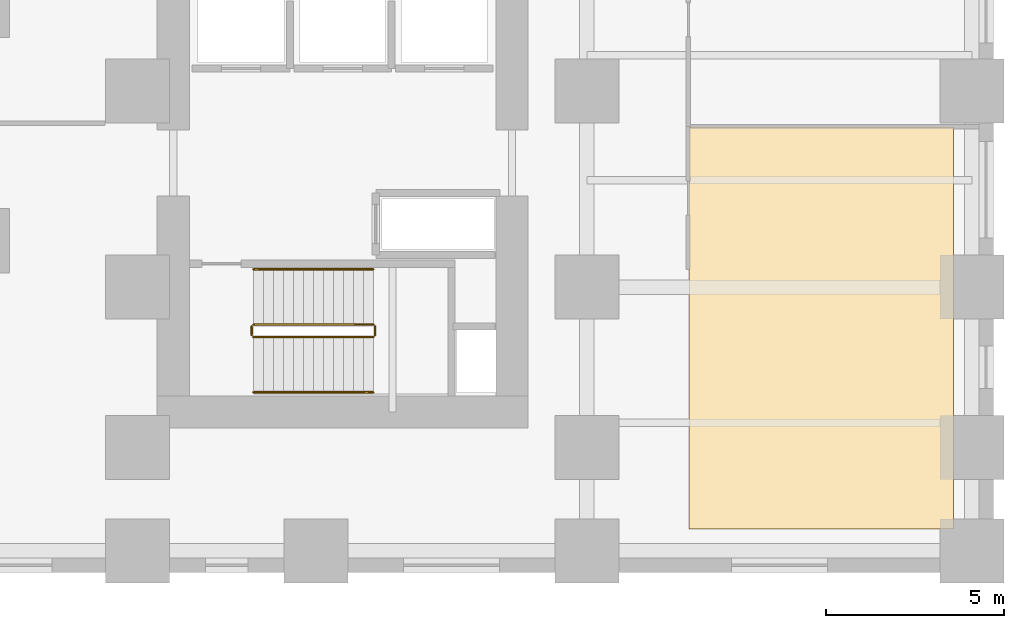
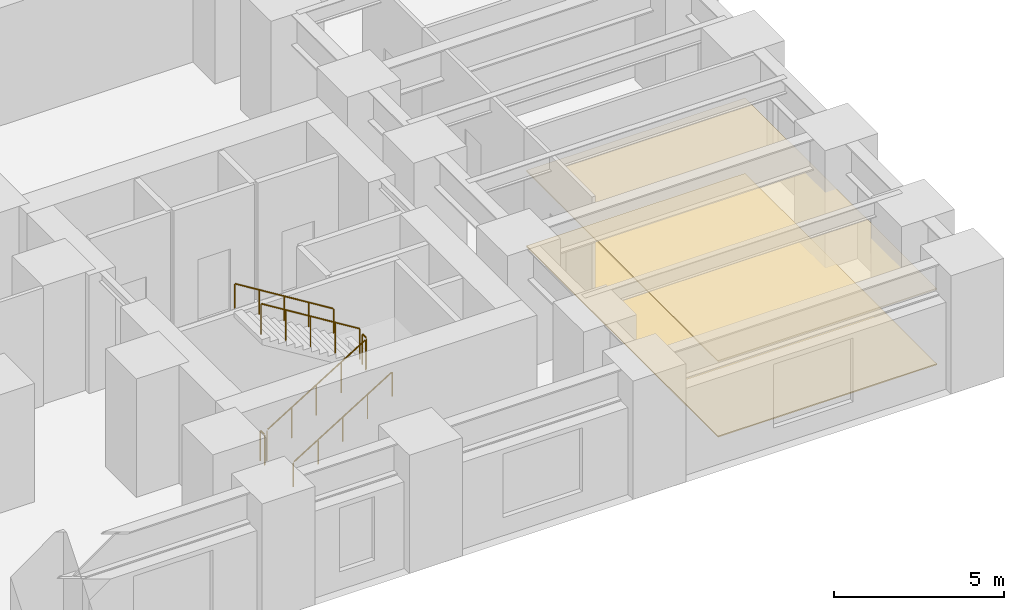
# One storey, part 10 of 11: 6 railings, 2 coverings.
"""IFC4 building model written with IfcOpenShell, lengths in metres."""

from ifc_helpers import new_model, si_unit, direction, frame, origin, origin_2d, place, context, subcontext, project, spatial, polyline, circle, outline, extrude, source, transform, mapped, material, layer, layer_set, type_object, element, save


model = new_model("IFC4")

# Units and contexts
model_context = context("Model", 3, precision=1e-05, world=origin(), true_north=direction((0.0, 1.0)))
body_context = subcontext(model_context, "Body", "Model", "MODEL_VIEW")
ifc_project = project(units=[si_unit("LENGTHUNIT", "METRE"), si_unit("AREAUNIT", "SQUARE_METRE"), si_unit("VOLUMEUNIT", "CUBIC_METRE"), si_unit("PLANEANGLEUNIT", "RADIAN"), si_unit("MASSUNIT", "GRAM", prefix="KILO")], contexts=[model_context])

# Site, building, storey
site_placement = place(None, origin())
site = spatial("IfcSite", under=ifc_project, at=site_placement, CompositionType="ELEMENT")
building_placement = place(site_placement, origin())
building = spatial("IfcBuilding", under=site, at=building_placement, Name="Kharzan Plaza Tower", CompositionType="ELEMENT")
storey_placement = place(building_placement, frame((0.0, 0.0, 9.0)))
storey = spatial("IfcBuildingStorey", under=building, at=storey_placement, Name="L02", CompositionType="ELEMENT", Elevation=9.0)

# Coverings
ifc_material_1 = material(Name="Perforated Acoustic Mineral-Fibre Tile", Category="gypsum")
ifc_layer_1 = layer(ifc_material_1, 0.044921875)
ifc_layer_set_1 = layer_set([ifc_layer_1], Name="Perforated Acoustic Mineral-Fibre Tile")
covering_type_1 = type_object("IfcCoveringType", Name="COV-CEIL-ACT", PredefinedType="CEILING", material=ifc_layer_set_1)
covering_1_placement = place(storey_placement, frame((0.0, 0.0, 2.705078125)))
element("IfcCovering", 1, at=covering_1_placement, inside=storey, type_object=covering_type_1, Name="L02 Suspended Acoustic Ceiling FIN1", PredefinedType="CEILING", context=body_context, shape_type="SweptSolid", body=[
    extrude(outline(polyline([(50.4599609375, 1.2099609375), (57.889892578125, 1.2099609375), (57.889892578125, 12.489990234375), (50.4599609375, 12.489990234375), (50.4599609375, 1.2099609375)])), origin(), (0.0, 0.0, 1.0), 0.044921875),
])
ifc_material_2 = material(Name="Honed Najran Granite Terrazzo", Category="masonry")
ifc_layer_2 = layer(ifc_material_2, 0.0400390625)
ifc_layer_set_2 = layer_set([ifc_layer_2], Name="Honed Najran Granite Terrazzo")
covering_type_2 = type_object("IfcCoveringType", Name="COV-FLOOR-STN", PredefinedType="FLOORING", material=ifc_layer_set_2)
covering_2_placement = place(storey_placement, origin())
element("IfcCovering", 2, at=covering_2_placement, inside=storey, type_object=covering_type_2, Name="L02 Honed Granite Terrazzo Flooring FIN1", PredefinedType="FLOORING", context=body_context, shape_type="SweptSolid", body=[
    extrude(outline(polyline([(50.4599609375, 1.2099609375), (57.889892578125, 1.2099609375), (57.889892578125, 12.489990234375), (50.4599609375, 12.489990234375), (50.4599609375, 1.2099609375)])), origin(), (0.0, 0.0, 1.0), 0.0400390625),
])

# Railings
ifc_material_3 = material(Name="Painted Galvanized Architectural Steel", Category="steel")
ifc_layer_3 = layer(ifc_material_3, 0.074951171875)
ifc_layer_set_3 = layer_set([ifc_layer_3], Name="Painted Galvanized Architectural Steel")
railing_type_1 = type_object("IfcRailingType", Name="RL-GUARD-1120", PredefinedType="BALUSTRADE", material=ifc_layer_set_3)
shared_shape_1 = source(origin(), body_context, "Body", "SweptSolid", [
    extrude(circle(Radius=0.02392578125, at=origin_2d()), frame((0.0224609375, 0.0, 1.10986328125), z_axis=(0.850623216509, 0.0, 0.525775754039), x_axis=(0.0, 1.0, 0.0)), (0.0, 0.0, 1.0), 3.897216796875),
    extrude(circle(Radius=0.02099609375, at=origin_2d()), origin(), (0.0, 0.0, 1.0), 1.072021484375),
    extrude(circle(Radius=0.02099609375, at=origin_2d()), frame((0.840087890625, 0.0, 0.519287109375)), (0.0, 0.0, 1.0), 1.072021484375),
    extrude(circle(Radius=0.02099609375, at=origin_2d()), frame((1.68017578125, 0.0, 1.03857421875)), (0.0, 0.0, 1.0), 1.072021484375),
    extrude(circle(Radius=0.02099609375, at=origin_2d()), frame((2.52001953125, 0.0, 1.5576171875)), (0.0, 0.0, 1.0), 1.072021484375),
    extrude(circle(Radius=0.02099609375, at=origin_2d()), frame((3.360107421875, 0.0, 2.076904296875)), (0.0, 0.0, 1.0), 1.072021484375),
])
railing_1_placement = place(storey_placement, frame((38.25, 6.60009765625, 0.173095703125)))
element("IfcRailing", 3, at=railing_1_placement, inside=storey, type_object=railing_type_1, Name="L02 ST-3 stair guard 1", PredefinedType="BALUSTRADE", context=body_context, shape_type="MappedRepresentation", body=[
    mapped(shared_shape_1, transform((0.0, 0.0, 0.0), x_axis=(1.0, 0.0, 0.0), y_axis=(0.0, 1.0, 0.0), z_axis=(0.0, 0.0, 1.0))),
])
shared_shape_2 = source(origin(), body_context, "Body", "SweptSolid", [
    extrude(circle(Radius=0.02392578125, at=origin_2d()), frame((0.0, 0.0263671875, 1.09619140625), z_axis=(0.0, 1.0, 0.0), x_axis=(-1.0, 0.0, 0.0)), (0.0, 0.0, 1.0), 0.197021484375),
    extrude(circle(Radius=0.02099609375, at=origin_2d()), origin(), (0.0, 0.0, 1.0), 1.072021484375),
    extrude(circle(Radius=0.02099609375, at=origin_2d()), frame((0.0, 0.25, 0.0)), (0.0, 0.0, 1.0), 1.072021484375),
])
for number, where, name in (
    (4, (41.659912109375, 6.64990234375, 2.25), "L02 ST-3 stair guard 2"),
    (5, (38.199951171875, 6.64990234375, 0.0), "L02 ST-3 stair guard 4"),
):
    element("IfcRailing", number, at=place(storey_placement, frame(where)), inside=storey, type_object=railing_type_1, Name=name, PredefinedType="BALUSTRADE", context=body_context, shape_type="MappedRepresentation", body=[
        mapped(shared_shape_2, transform((0.0, 0.0, 0.0), x_axis=(1.0, 0.0, 0.0), y_axis=(0.0, 1.0, 0.0), z_axis=(0.0, 0.0, 1.0))),
    ])
shared_shape_3 = source(origin(), body_context, "Body", "SweptSolid", [
    extrude(circle(Radius=0.02392578125, at=origin_2d()), frame((-0.0224609375, 0.0, 1.10986328125), z_axis=(-0.850623216509, 0.0, 0.525775754039), x_axis=(0.0, -1.0, 0.0)), (0.0, 0.0, 1.0), 3.897216796875),
    extrude(circle(Radius=0.02099609375, at=origin_2d()), origin(), (0.0, 0.0, 1.0), 1.072021484375),
    extrude(circle(Radius=0.02099609375, at=origin_2d()), frame((-0.840087890625, 0.0, 0.519287109375)), (0.0, 0.0, 1.0), 1.072021484375),
    extrude(circle(Radius=0.02099609375, at=origin_2d()), frame((-1.68017578125, 0.0, 1.03857421875)), (0.0, 0.0, 1.0), 1.072021484375),
    extrude(circle(Radius=0.02099609375, at=origin_2d()), frame((-2.52001953125, 0.0, 1.5576171875)), (0.0, 0.0, 1.0), 1.072021484375),
    extrude(circle(Radius=0.02099609375, at=origin_2d()), frame((-3.360107421875, 0.0, 2.076904296875)), (0.0, 0.0, 1.0), 1.072021484375),
])
railing_2_placement = place(storey_placement, frame((41.610107421875, 6.949951171875, 2.423095703125)))
element("IfcRailing", 6, at=railing_2_placement, inside=storey, type_object=railing_type_1, Name="L02 ST-3 stair guard 3", PredefinedType="BALUSTRADE", context=body_context, shape_type="MappedRepresentation", body=[
    mapped(shared_shape_3, transform((0.0, 0.0, 0.0), x_axis=(1.0, 0.0, 0.0), y_axis=(0.0, 1.0, 0.0), z_axis=(0.0, 0.0, 1.0))),
])
ifc_material_4 = material(Name="Brushed Stainless Steel", Category="steel")
ifc_layer_4 = layer(ifc_material_4, 0.050048828125)
ifc_layer_set_4 = layer_set([ifc_layer_4], Name="Brushed Stainless Steel")
railing_type_2 = type_object("IfcRailingType", Name="RL-STAIR-HR920", PredefinedType="HANDRAIL", material=ifc_layer_set_4)
shared_shape_4 = source(origin(), body_context, "Body", "SweptSolid", [
    extrude(circle(Radius=0.02392578125, at=origin_2d()), frame((0.0224609375, 0.0, 0.8896484375), z_axis=(0.850623216509, 0.0, 0.525775754039), x_axis=(0.0, 1.0, 0.0)), (0.0, 0.0, 1.0), 3.897216796875),
    extrude(circle(Radius=0.02099609375, at=origin_2d()), origin(), (0.0, 0.0, 1.0), 0.851806640625),
    extrude(circle(Radius=0.02099609375, at=origin_2d()), frame((0.840087890625, 0.0, 0.519287109375)), (0.0, 0.0, 1.0), 0.851806640625),
    extrude(circle(Radius=0.02099609375, at=origin_2d()), frame((1.68017578125, 0.0, 1.03857421875)), (0.0, 0.0, 1.0), 0.851806640625),
    extrude(circle(Radius=0.02099609375, at=origin_2d()), frame((2.52001953125, 0.0, 1.5576171875)), (0.0, 0.0, 1.0), 0.851806640625),
    extrude(circle(Radius=0.02099609375, at=origin_2d()), frame((3.360107421875, 0.0, 2.076904296875)), (0.0, 0.0, 1.0), 0.851806640625),
])
railing_3_placement = place(storey_placement, frame((38.25, 5.050048828125, 0.173095703125)))
element("IfcRailing", 7, at=railing_3_placement, inside=storey, type_object=railing_type_2, Name="L02 ST-3 stair handrail 1", PredefinedType="HANDRAIL", context=body_context, shape_type="MappedRepresentation", body=[
    mapped(shared_shape_4, transform((0.0, 0.0, 0.0), x_axis=(1.0, 0.0, 0.0), y_axis=(0.0, 1.0, 0.0), z_axis=(0.0, 0.0, 1.0))),
])
shared_shape_5 = source(origin(), body_context, "Body", "SweptSolid", [
    extrude(circle(Radius=0.02392578125, at=origin_2d()), frame((-0.0224609375, 0.0, 0.8896484375), z_axis=(-0.850623216509, 0.0, 0.525775754039), x_axis=(0.0, -1.0, 0.0)), (0.0, 0.0, 1.0), 3.897216796875),
    extrude(circle(Radius=0.02099609375, at=origin_2d()), origin(), (0.0, 0.0, 1.0), 0.851806640625),
    extrude(circle(Radius=0.02099609375, at=origin_2d()), frame((-0.840087890625, 0.0, 0.519287109375)), (0.0, 0.0, 1.0), 0.851806640625),
    extrude(circle(Radius=0.02099609375, at=origin_2d()), frame((-1.68017578125, 0.0, 1.03857421875)), (0.0, 0.0, 1.0), 0.851806640625),
    extrude(circle(Radius=0.02099609375, at=origin_2d()), frame((-2.52001953125, 0.0, 1.5576171875)), (0.0, 0.0, 1.0), 0.851806640625),
    extrude(circle(Radius=0.02099609375, at=origin_2d()), frame((-3.360107421875, 0.0, 2.076904296875)), (0.0, 0.0, 1.0), 0.851806640625),
])
railing_4_placement = place(storey_placement, frame((41.610107421875, 8.5, 2.423095703125)))
element("IfcRailing", 8, at=railing_4_placement, inside=storey, type_object=railing_type_2, Name="L02 ST-3 stair handrail 2", PredefinedType="HANDRAIL", context=body_context, shape_type="MappedRepresentation", body=[
    mapped(shared_shape_5, transform((0.0, 0.0, 0.0), x_axis=(1.0, 0.0, 0.0), y_axis=(0.0, 1.0, 0.0), z_axis=(0.0, 0.0, 1.0))),
])

save(model, "model.ifc")
